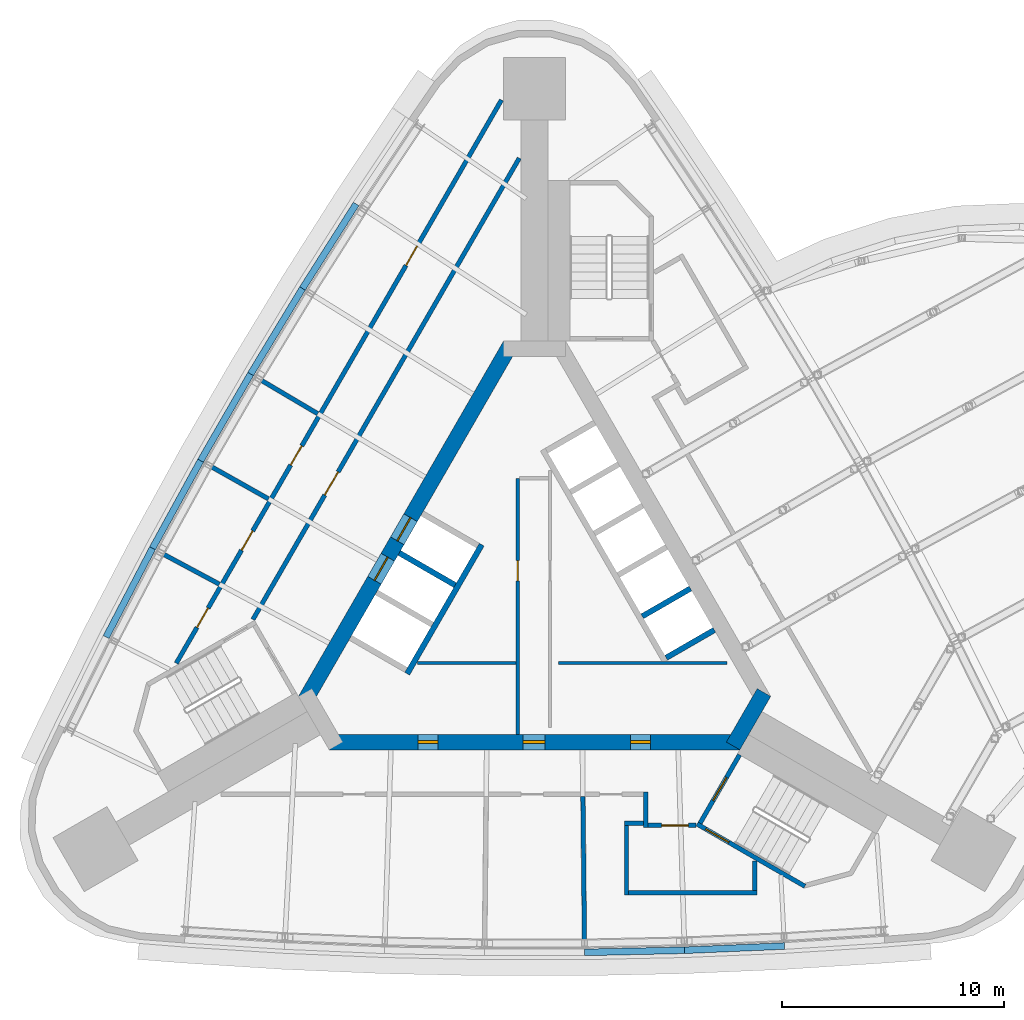
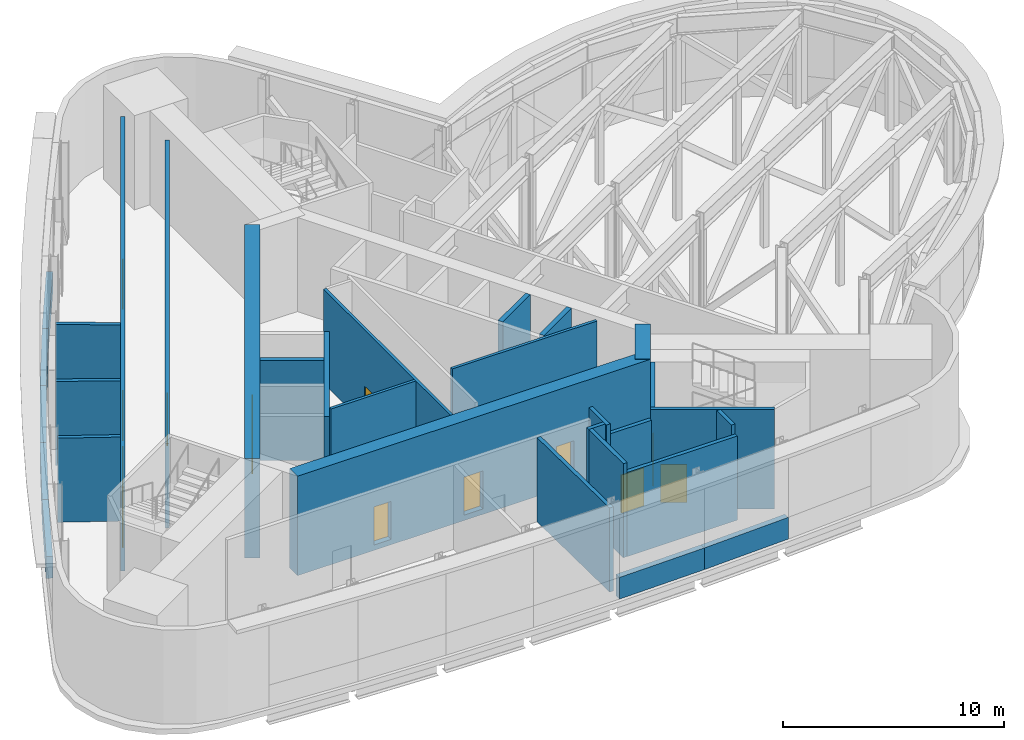
# One storey, part 7 of 11: 31 walls, 14 doors, 14 openings.
"""IFC4 building model written with IfcOpenShell, lengths in metres."""

from ifc_helpers import new_model, si_unit, direction, frame, frame_2d, origin, place, context, subcontext, project, spatial, polyline, rectangle, outline, extrude, material, layer, layer_set, type_object, element, fill, save


model = new_model("IFC4")

# Units and contexts
model_context = context("Model", 3, precision=1e-05, world=origin(), true_north=direction((0.0, 1.0)))
body_context = subcontext(model_context, "Body", "Model", "MODEL_VIEW")
ifc_project = project(units=[si_unit("LENGTHUNIT", "METRE"), si_unit("AREAUNIT", "SQUARE_METRE"), si_unit("VOLUMEUNIT", "CUBIC_METRE"), si_unit("PLANEANGLEUNIT", "RADIAN"), si_unit("MASSUNIT", "GRAM", prefix="KILO")], contexts=[model_context])

# Site, building, storey
site_placement = place(None, origin())
site = spatial("IfcSite", under=ifc_project, at=site_placement, CompositionType="ELEMENT")
building_placement = place(site_placement, origin())
building = spatial("IfcBuilding", under=site, at=building_placement, Name="Noor Cloister Tower", CompositionType="ELEMENT")
storey_placement = place(building_placement, frame((0.0, 0.0, 168.89990234375)))
storey = spatial("IfcBuildingStorey", under=building, at=storey_placement, Name="L43", CompositionType="ELEMENT", Elevation=168.89990234375)

# Wall
ifc_material_1 = material(Name="Concrete C30/37", Category="concrete")
ifc_layer_1 = layer(ifc_material_1, 0.14990234375)
ifc_layer_set_1 = layer_set([ifc_layer_1], Name="Core partition 150 C30/37")
wall_type_1 = type_object("IfcWallType", Name="Core partition 150 C30/37", PredefinedType="PARTITIONING", material=ifc_layer_set_1)
wall_1_placement = place(storey_placement, frame((-5.2578125, -3.0283203125, 0.0), z_axis=(0.0, 0.0, 1.0), x_axis=(1.0, 0.0, 0.0)))
element("IfcWall", 1, at=wall_1_placement, inside=storey, type_object=wall_type_1, Name="Core room partition L43 1", PredefinedType="PARTITIONING", context=body_context, shape_type="SweptSolid", body=[
    extrude(rectangle(XDim=4.42919921875, YDim=0.14990234375, at=frame_2d((2.214599609375, 0.0))), origin(), (0.0, 0.0, 1.0), 5.2001953125),
])

# Wall, opening, door
wall_2_placement = place(storey_placement, frame((-0.753662109375, 5.271728515625, 0.0), z_axis=(0.0, 0.0, 1.0), x_axis=(0.0, -1.0, 0.0)))
wall_2 = element("IfcWall", 2, at=wall_2_placement, inside=storey, type_object=wall_type_1, Name="Core room partition L43 2", PredefinedType="PARTITIONING", context=body_context, shape_type="SweptSolid", body=[
    extrude(rectangle(XDim=11.5, YDim=0.14990234375, at=frame_2d((5.75, 0.0))), origin(), (0.0, 0.0, 1.0), 5.2001953125),
])
opening_1_placement = place(wall_2_placement, frame((3.700927734375, 0.0, 0.0)))
opening_1 = element("IfcOpeningElement", 3, at=opening_1_placement, cuts=wall_2, Name="Opening L43-904", PredefinedType="OPENING", context=body_context, shape_type="SweptSolid", body=[
    extrude(rectangle(XDim=0.89990234375, YDim=2.10009765625, at=frame_2d((0.449951171875, 1.050048828125))), frame((0.0, 0.0849609375, 0.0), z_axis=(0.0, -1.0, 0.0), x_axis=(1.0, 0.0, 0.0)), (0.0, 0.0, 1.0), 0.169921875),
])
ifc_material_2 = material(Name="Steel", Category="steel")
door_type_1 = type_object("IfcDoorType", Name="Core door 900 x 2100 FD60", OperationType="SINGLE_SWING_LEFT", PredefinedType="DOOR", material=ifc_material_2)
door_1_placement = place(opening_1_placement, origin())
door_1 = element("IfcDoor", 4, at=door_1_placement, inside=storey, type_object=door_type_1, Name="Core door 4 L43", OperationType="SINGLE_SWING_RIGHT", OverallHeight=2.10009765625, OverallWidth=0.89990234375, PredefinedType="DOOR", context=body_context, shape_type="SweptSolid", body=[
    extrude(rectangle(XDim=0.89990234375, YDim=2.10009765625, at=frame_2d((0.449951171875, 1.050048828125))), frame((0.0, 0.02490234375, 0.0), z_axis=(0.0, -1.0, 0.0), x_axis=(1.0, 0.0, 0.0)), (0.0, 0.0, 1.0), 0.050048828125),
])
fill(opening_1, door_1)

# Wall
wall_3_placement = place(storey_placement, frame((1.0712890625, -3.0283203125, 0.0), z_axis=(0.0, 0.0, 1.0), x_axis=(1.0, 0.0, 0.0)))
element("IfcWall", 5, at=wall_3_placement, inside=storey, type_object=wall_type_1, Name="Core room partition L43 5", PredefinedType="PARTITIONING", context=body_context, shape_type="SweptSolid", body=[
    extrude(rectangle(XDim=7.568603515625, YDim=0.14990234375, at=frame_2d((3.7841796875, 0.0))), origin(), (0.0, 0.0, 1.0), 5.2001953125),
])

# Wall, openings, doors
ifc_material_3 = material(Name="Concrete C70/85", Category="concrete")
ifc_layer_2 = layer(ifc_material_3, 0.699951171875)
ifc_layer_set_2 = layer_set([ifc_layer_2], Name="Core wall 700 C70/85")
wall_type_2 = type_object("IfcWallType", Name="Core wall 700 C70/85", PredefinedType="SHEAR", material=ifc_layer_set_2)
wall_4_placement = place(storey_placement, frame((-9.228759765625, -6.578125, -0.2998046875), z_axis=(0.0, 0.0, 1.0), x_axis=(1.0, 0.0, 0.0)))
wall_4 = element("IfcWall", 6, at=wall_4_placement, inside=storey, type_object=wall_type_2, Name="Core wall L43 1", PredefinedType="SHEAR", context=body_context, shape_type="SweptSolid", body=[
    extrude(rectangle(XDim=18.45751953125, YDim=0.699951171875, at=frame_2d((9.228759765625, 0.0))), origin(), (0.0, 0.0, 1.0), 5.5),
])
opening_2_placement = place(wall_4_placement, frame((8.699951171875, 0.0, 0.300048828125)))
opening_2 = element("IfcOpeningElement", 7, at=opening_2_placement, cuts=wall_4, Name="Opening L43-901", PredefinedType="OPENING", context=body_context, shape_type="SweptSolid", body=[
    extrude(rectangle(XDim=1.0, YDim=2.10009765625, at=frame_2d((0.5, 1.050048828125))), frame((0.0, 0.35986328125, 0.0), z_axis=(0.0, -1.0, 0.0), x_axis=(1.0, 0.0, 0.0)), (0.0, 0.0, 1.0), 0.719970703125),
])
opening_3_placement = place(wall_4_placement, frame((3.989501953125, 0.0, 0.300048828125)))
opening_3 = element("IfcOpeningElement", 8, at=opening_3_placement, cuts=wall_4, Name="Opening L43-902", PredefinedType="OPENING", context=body_context, shape_type="SweptSolid", body=[
    extrude(rectangle(XDim=0.89990234375, YDim=2.10009765625, at=frame_2d((0.449951171875, 1.050048828125))), frame((0.0, 0.35986328125, 0.0), z_axis=(0.0, -1.0, 0.0), x_axis=(1.0, 0.0, 0.0)), (0.0, 0.0, 1.0), 0.719970703125),
])
opening_4_placement = place(wall_4_placement, frame((13.5390625, 0.0, 0.300048828125)))
opening_4 = element("IfcOpeningElement", 9, at=opening_4_placement, cuts=wall_4, Name="Opening L43-903", PredefinedType="OPENING", context=body_context, shape_type="SweptSolid", body=[
    extrude(rectangle(XDim=0.89990234375, YDim=2.10009765625, at=frame_2d((0.449951171875, 1.050048828125))), frame((0.0, 0.35986328125, 0.0), z_axis=(0.0, -1.0, 0.0), x_axis=(1.0, 0.0, 0.0)), (0.0, 0.0, 1.0), 0.719970703125),
])
ifc_material_4 = material(Name="Steel", Category="steel")
door_type_2 = type_object("IfcDoorType", Name="Core door 1000 x 2100 FD120", OperationType="SINGLE_SWING_LEFT", PredefinedType="DOOR", material=ifc_material_4)
door_2_placement = place(opening_2_placement, origin())
door_2 = element("IfcDoor", 10, at=door_2_placement, inside=storey, type_object=door_type_2, Name="Core door 1 L43", OperationType="SINGLE_SWING_LEFT", OverallHeight=2.10009765625, OverallWidth=1.0, PredefinedType="DOOR", context=body_context, shape_type="SweptSolid", body=[
    extrude(rectangle(XDim=1.0, YDim=2.10009765625, at=frame_2d((0.5, 1.050048828125))), frame((0.0, 0.074951171875, 0.0), z_axis=(0.0, -1.0, 0.0), x_axis=(1.0, 0.0, 0.0)), (0.0, 0.0, 1.0), 0.14990234375),
])
fill(opening_2, door_2)
ifc_material_5 = material(Name="Steel", Category="steel")
door_type_3 = type_object("IfcDoorType", Name="Core door 900 x 2100 FD120", OperationType="SINGLE_SWING_LEFT", PredefinedType="DOOR", material=ifc_material_5)
door_3_placement = place(opening_3_placement, origin())
door_3 = element("IfcDoor", 11, at=door_3_placement, inside=storey, type_object=door_type_3, Name="Core door 2 L43", OperationType="SINGLE_SWING_RIGHT", OverallHeight=2.10009765625, OverallWidth=0.89990234375, PredefinedType="DOOR", context=body_context, shape_type="SweptSolid", body=[
    extrude(rectangle(XDim=0.89990234375, YDim=2.10009765625, at=frame_2d((0.449951171875, 1.050048828125))), frame((0.0, 0.074951171875, 0.0), z_axis=(0.0, -1.0, 0.0), x_axis=(1.0, 0.0, 0.0)), (0.0, 0.0, 1.0), 0.14990234375),
])
fill(opening_3, door_3)
door_4_placement = place(opening_4_placement, origin())
door_4 = element("IfcDoor", 12, at=door_4_placement, inside=storey, type_object=door_type_1, Name="Core door 3 L43", OperationType="SINGLE_SWING_LEFT", OverallHeight=2.10009765625, OverallWidth=0.89990234375, PredefinedType="DOOR", context=body_context, shape_type="SweptSolid", body=[
    extrude(rectangle(XDim=0.89990234375, YDim=2.10009765625, at=frame_2d((0.449951171875, 1.050048828125))), frame((0.0, 0.074951171875, 0.0), z_axis=(0.0, -1.0, 0.0), x_axis=(1.0, 0.0, 0.0)), (0.0, 0.0, 1.0), 0.14990234375),
])
fill(opening_4, door_4)

# Wall
wall_5_placement = place(storey_placement, frame((8.925537109375, -6.753173828125, -0.2998046875), z_axis=(0.0, 0.0, 1.0), x_axis=(0.500042739161, 0.866000726912, 0.0)))
element("IfcWall", 13, at=wall_5_placement, inside=storey, type_object=wall_type_2, Name="Core wall L43 2", PredefinedType="SHEAR", context=body_context, shape_type="SweptSolid", body=[
    extrude(rectangle(XDim=2.771240234375, YDim=0.699951171875, at=frame_2d((1.3857421875, 0.0))), origin(), (0.0, 0.0, 1.0), 5.5),
])

# Wall, openings, doors
wall_6_placement = place(storey_placement, frame((-1.08251953125, 11.281494140625, -0.2998046875), z_axis=(0.0, 0.0, 1.0), x_axis=(-0.500001446645, -0.866024568562, 0.0)))
wall_6 = element("IfcWall", 14, at=wall_6_placement, inside=storey, type_object=wall_type_2, Name="Core wall L43 5", PredefinedType="SHEAR", context=body_context, shape_type="SweptSolid", body=[
    extrude(rectangle(XDim=18.45751953125, YDim=0.699951171875, at=frame_2d((9.228759765625, 0.0))), origin(), (0.0, 0.0, 1.0), 5.5),
])
opening_5_placement = place(wall_6_placement, frame((8.978759765625, 0.0, 0.300048828125)))
opening_5 = element("IfcOpeningElement", 15, at=opening_5_placement, cuts=wall_6, Name="Opening L43-FF1", PredefinedType="OPENING", context=body_context, shape_type="SweptSolid", body=[
    extrude(rectangle(XDim=1.199951171875, YDim=2.10009765625, at=frame_2d((0.60009765625, 1.050048828125))), frame((0.0, 0.35986328125, 0.0), z_axis=(0.0, -1.0, 0.0), x_axis=(1.0, 0.0, 0.0)), (0.0, 0.0, 1.0), 0.719970703125),
])
opening_6_placement = place(wall_6_placement, frame((11.02880859375, 0.0, 0.300048828125)))
opening_6 = element("IfcOpeningElement", 16, at=opening_6_placement, cuts=wall_6, Name="Opening L43-FF2", PredefinedType="OPENING", context=body_context, shape_type="SweptSolid", body=[
    extrude(rectangle(XDim=1.199951171875, YDim=2.10009765625, at=frame_2d((0.60009765625, 1.050048828125))), frame((0.0, 0.35986328125, 0.0), z_axis=(0.0, -1.0, 0.0), x_axis=(1.0, 0.0, 0.0)), (0.0, 0.0, 1.0), 0.719970703125),
])
ifc_material_6 = material(Name="Stainless steel", Category="steel")
door_type_4 = type_object("IfcDoorType", Name="Lift landing door 1200 x 2100", OperationType="DOUBLE_DOOR_SLIDING", PredefinedType="DOOR", material=ifc_material_6)
door_5_placement = place(opening_5_placement, origin())
door_5 = element("IfcDoor", 17, at=door_5_placement, inside=storey, type_object=door_type_4, Name="Landing door FF1 L43", OperationType="DOUBLE_DOOR_SLIDING", OverallHeight=2.10009765625, OverallWidth=1.199951171875, PredefinedType="DOOR", context=body_context, shape_type="SweptSolid", body=[
    extrude(rectangle(XDim=1.199951171875, YDim=2.10009765625, at=frame_2d((0.60009765625, 1.050048828125))), frame((0.0, 0.02490234375, 0.0), z_axis=(0.0, -1.0, 0.0), x_axis=(1.0, 0.0, 0.0)), (0.0, 0.0, 1.0), 0.050048828125),
])
fill(opening_5, door_5)
door_6_placement = place(opening_6_placement, origin())
door_6 = element("IfcDoor", 18, at=door_6_placement, inside=storey, type_object=door_type_4, Name="Landing door FF2 L43", OperationType="DOUBLE_DOOR_SLIDING", OverallHeight=2.10009765625, OverallWidth=1.199951171875, PredefinedType="DOOR", context=body_context, shape_type="SweptSolid", body=[
    extrude(rectangle(XDim=1.199951171875, YDim=2.10009765625, at=frame_2d((0.60009765625, 1.050048828125))), frame((0.0, 0.02490234375, 0.0), z_axis=(0.0, -1.0, 0.0), x_axis=(1.0, 0.0, 0.0)), (0.0, 0.0, 1.0), 0.050048828125),
])
fill(opening_6, door_6)

# Walls
ifc_material_7 = material(Name="Limestone", Category="masonry")
ifc_layer_3 = layer(ifc_material_7, 0.300048828125)
ifc_layer_set_3 = layer_set([ifc_layer_3], Name="Limestone panel wall 300")
wall_type_3 = type_object("IfcWallType", Name="Limestone panel wall 300", PredefinedType="NOTDEFINED", material=ifc_layer_set_3)
wall_7_placement = place(storey_placement, origin())
element("IfcWall", 19, at=wall_7_placement, inside=storey, type_object=wall_type_3, Name="Limestone panel wall L43 1.2", PredefinedType="NOTDEFINED", context=body_context, shape_type="SweptSolid", body=[
    extrude(outline(polyline([(-8.145263671875, 17.68701171875), (-10.55810546875, 13.888671875), (-10.304931640625, 13.727783203125), (-7.891845703125, 17.526123046875), (-8.145263671875, 17.68701171875)])), origin(), (0.0, 0.0, 1.0), 1.2001953125),
])
wall_8_placement = place(storey_placement, origin())
element("IfcWall", 20, at=wall_8_placement, inside=storey, type_object=wall_type_3, Name="Limestone panel wall L43 1.3", PredefinedType="NOTDEFINED", context=body_context, shape_type="SweptSolid", body=[
    extrude(outline(polyline([(-10.55810546875, 13.888671875), (-12.89013671875, 10.0400390625), (-12.633544921875, 9.884765625), (-10.301513671875, 13.733154296875), (-10.55810546875, 13.888671875)])), origin(), (0.0, 0.0, 1.0), 1.2001953125),
])
wall_9_placement = place(storey_placement, origin())
element("IfcWall", 21, at=wall_9_placement, inside=storey, type_object=wall_type_3, Name="Limestone panel wall L43 1.4", PredefinedType="NOTDEFINED", context=body_context, shape_type="SweptSolid", body=[
    extrude(outline(polyline([(-12.89013671875, 10.0400390625), (-15.14013671875, 6.14306640625), (-14.88037109375, 5.9931640625), (-12.63037109375, 9.89013671875), (-12.89013671875, 10.0400390625)])), origin(), (0.0, 0.0, 1.0), 1.2001953125),
])
wall_10_placement = place(storey_placement, origin())
element("IfcWall", 22, at=wall_10_placement, inside=storey, type_object=wall_type_3, Name="Limestone panel wall L43 1.5", PredefinedType="NOTDEFINED", context=body_context, shape_type="SweptSolid", body=[
    extrude(outline(polyline([(-15.14013671875, 6.14306640625), (-17.30712890625, 2.19921875), (-17.044189453125, 2.054931640625), (-14.877197265625, 5.99853515625), (-15.14013671875, 6.14306640625)])), origin(), (0.0, 0.0, 1.0), 1.2001953125),
])
wall_11_placement = place(storey_placement, origin())
element("IfcWall", 23, at=wall_11_placement, inside=storey, type_object=wall_type_3, Name="Limestone panel wall L43 1.6", PredefinedType="NOTDEFINED", context=body_context, shape_type="SweptSolid", body=[
    extrude(outline(polyline([(-17.30712890625, 2.19921875), (-19.389892578125, -1.78955078125), (-19.1240234375, -1.928466796875), (-17.041015625, 2.060546875), (-17.30712890625, 2.19921875)])), origin(), (0.0, 0.0, 1.0), 1.2001953125),
])
wall_12_placement = place(storey_placement, origin())
element("IfcWall", 24, at=wall_12_placement, inside=storey, type_object=wall_type_3, Name="Limestone panel wall L43 2.5", PredefinedType="NOTDEFINED", context=body_context, shape_type="SweptSolid", body=[
    extrude(outline(polyline([(2.25, -16.183349609375), (6.748779296875, -16.087890625), (6.742431640625, -15.7880859375), (2.24365234375, -15.88330078125), (2.25, -16.183349609375)])), origin(), (0.0, 0.0, 1.0), 1.2001953125),
])
wall_13_placement = place(storey_placement, origin())
element("IfcWall", 25, at=wall_13_placement, inside=storey, type_object=wall_type_3, Name="Limestone panel wall L43 2.6", PredefinedType="NOTDEFINED", context=body_context, shape_type="SweptSolid", body=[
    extrude(outline(polyline([(6.748779296875, -16.087890625), (11.24462890625, -15.8974609375), (11.23193359375, -15.59765625), (6.736083984375, -15.788330078125), (6.748779296875, -16.087890625)])), origin(), (0.0, 0.0, 1.0), 1.2001953125),
])
ifc_material_8 = material(Name="Concrete C70/85", Category="concrete")
ifc_layer_4 = layer(ifc_material_8, 0.25)
ifc_layer_set_4 = layer_set([ifc_layer_4], Name="Shaft wall 250 C70/85")
wall_type_4 = type_object("IfcWallType", Name="Shaft wall 250 C70/85", PredefinedType="PARTITIONING", material=ifc_layer_set_4)
for number, where, z_axis, x_axis, name in (
    (26, (8.081298828125, -1.540771484375, -0.2998046875), (0.0, 0.0, 1.0), (-0.866022959057, -0.500004234368, 0.0), "Lift shaft wall L43 NE 1"),
    (27, (7.00634765625, 0.3212890625, -0.2998046875), (0.0, 0.0, 1.0), (-0.866022959057, -0.500004234368, 0.0), "Lift shaft wall L43 NE 2"),
):
    element("IfcWall", number, at=place(storey_placement, frame(where, z_axis=z_axis, x_axis=x_axis)), inside=storey, type_object=wall_type_4, Name=name, PredefinedType="PARTITIONING", context=body_context, shape_type="SweptSolid", body=[
        extrude(rectangle(XDim=2.5, YDim=0.25, at=frame_2d((1.25, 0.0))), origin(), (0.0, 0.0, 1.0), 5.5),
    ])
wall_14_placement = place(storey_placement, frame((-6.081298828125, 1.92333984375, -0.2998046875), z_axis=(0.0, 0.0, 1.0), x_axis=(0.866032775405, -0.499987231761, 0.0)))
element("IfcWall", 28, at=wall_14_placement, inside=storey, type_object=wall_type_4, Name="Lift shaft wall L43 NW 4", PredefinedType="PARTITIONING", context=body_context, shape_type="SweptSolid", body=[
    extrude(rectangle(XDim=2.89990234375, YDim=0.25, at=frame_2d((1.449951171875, 0.0))), origin(), (0.0, 0.0, 1.0), 5.5),
])
wall_15_placement = place(storey_placement, frame((-2.3740234375, 2.29443359375, 0.0), z_axis=(0.0, 0.0, 1.0), x_axis=(-0.500003174267, -0.866023571113, 0.0)))
element("IfcWall", 29, at=wall_15_placement, inside=storey, type_object=wall_type_4, Name="Lift shaft back wall L43 NW", PredefinedType="PARTITIONING", context=body_context, shape_type="SweptSolid", body=[
    extrude(rectangle(XDim=6.7001953125, YDim=0.25, at=frame_2d((3.35009765625, 0.0))), origin(), (0.0, 0.0, 1.0), 5.2001953125),
])

# Wall, opening, door
ifc_material_9 = material(Name="Concrete C70/85", Category="concrete")
ifc_layer_5 = layer(ifc_material_9, 0.199951171875)
ifc_layer_set_5 = layer_set([ifc_layer_5], Name="Stair enclosure wall 200 C70/85")
wall_type_5 = type_object("IfcWallType", Name="Stair enclosure wall 200 C70/85", PredefinedType="SHEAR", material=ifc_layer_set_5)
wall_16_placement = place(storey_placement, frame((7.440185546875, -10.225830078125, -0.2998046875), z_axis=(0.0, 0.0, 1.0), x_axis=(0.500022077904, 0.866012656725, 0.0)))
wall_16 = element("IfcWall", 30, at=wall_16_placement, inside=storey, type_object=wall_type_5, Name="Stair enclosure wall ST3 L43 near end", PredefinedType="SHEAR", context=body_context, shape_type="SweptSolid", body=[
    extrude(rectangle(XDim=3.550048828125, YDim=0.199951171875, at=frame_2d((1.77490234375, 0.0))), origin(), (0.0, 0.0, 1.0), 5.5),
])
opening_7_placement = place(wall_16_placement, frame((1.175048828125, 0.0, 0.300048828125)))
opening_7 = element("IfcOpeningElement", 31, at=opening_7_placement, cuts=wall_16, Name="Opening L43-ST3L", PredefinedType="OPENING", context=body_context, shape_type="SweptSolid", body=[
    extrude(rectangle(XDim=1.199951171875, YDim=2.10009765625, at=frame_2d((0.60009765625, 1.050048828125))), frame((0.0, 0.10986328125, 0.0), z_axis=(0.0, -1.0, 0.0), x_axis=(1.0, 0.0, 0.0)), (0.0, 0.0, 1.0), 0.219970703125),
])
ifc_material_10 = material(Name="Steel", Category="steel")
door_type_5 = type_object("IfcDoorType", Name="Stair door 1200 x 2100 FD120", OperationType="SINGLE_SWING_LEFT", PredefinedType="DOOR", material=ifc_material_10)
door_7_placement = place(opening_7_placement, origin())
door_7 = element("IfcDoor", 32, at=door_7_placement, inside=storey, type_object=door_type_5, Name="Stair door ST3 L43", OperationType="SINGLE_SWING_RIGHT", OverallHeight=2.10009765625, OverallWidth=1.199951171875, PredefinedType="DOOR", context=body_context, shape_type="SweptSolid", body=[
    extrude(rectangle(XDim=1.199951171875, YDim=2.10009765625, at=frame_2d((0.60009765625, 1.050048828125))), frame((0.0, 0.02490234375, 0.0), z_axis=(0.0, -1.0, 0.0), x_axis=(1.0, 0.0, 0.0)), (0.0, 0.0, 1.0), 0.050048828125),
])
fill(opening_7, door_7)

wall_17_placement = place(storey_placement, frame((7.3037109375, -10.262451171875, -0.2998046875), z_axis=(0.0, 0.0, 1.0), x_axis=(0.866026594901, -0.49999793692, 0.0)))
wall_17 = element("IfcWall", 33, at=wall_17_placement, inside=storey, type_object=wall_type_5, Name="Stair enclosure wall ST3 L43 outer side", PredefinedType="SHEAR", context=body_context, shape_type="SweptSolid", body=[
    extrude(rectangle(XDim=5.60009765625, YDim=0.199951171875, at=frame_2d((2.800048828125, 0.0))), origin(), (0.0, 0.0, 1.0), 5.5),
])
opening_8_placement = place(wall_17_placement, frame((0.449951171875, 0.0, 0.300048828125)))
opening_8 = element("IfcOpeningElement", 34, at=opening_8_placement, cuts=wall_17, Name="Opening L43-ST3C", PredefinedType="OPENING", context=body_context, shape_type="SweptSolid", body=[
    extrude(rectangle(XDim=1.199951171875, YDim=2.10009765625, at=frame_2d((0.60009765625, 1.050048828125))), frame((0.0, 0.10986328125, 0.0), z_axis=(0.0, -1.0, 0.0), x_axis=(1.0, 0.0, 0.0)), (0.0, 0.0, 1.0), 0.219970703125),
])
door_8_placement = place(opening_8_placement, origin())
door_8 = element("IfcDoor", 35, at=door_8_placement, inside=storey, type_object=door_type_5, Name="Stair door ST3 L43", OperationType="SINGLE_SWING_LEFT", OverallHeight=2.10009765625, OverallWidth=1.199951171875, PredefinedType="DOOR", context=body_context, shape_type="SweptSolid", body=[
    extrude(rectangle(XDim=1.199951171875, YDim=2.10009765625, at=frame_2d((0.60009765625, 1.050048828125))), frame((0.0, 0.02490234375, 0.0), z_axis=(0.0, -1.0, 0.0), x_axis=(1.0, 0.0, 0.0)), (0.0, 0.0, 1.0), 0.050048828125),
])
fill(opening_8, door_8)

ifc_material_11 = material(Name="Concrete block wall, 200 mm", Category="concrete")
ifc_layer_6 = layer(ifc_material_11, 0.199951171875)
ifc_layer_set_6 = layer_set([ifc_layer_6], Name="Upper floor plant room wall 200")
wall_type_6 = type_object("IfcWallType", Name="Upper floor plant room wall 200", PredefinedType="PARTITIONING", material=ifc_layer_set_6)
wall_18_placement = place(storey_placement, frame((-0.6865234375, 19.667236328125, 0.0), z_axis=(0.0, 0.0, 1.0), x_axis=(-0.500000491645, -0.866025119933, 0.0)))
wall_18 = element("IfcWall", 36, at=wall_18_placement, inside=storey, type_object=wall_type_6, Name="Upper floor plant room wall 200 L43 001", PredefinedType="PARTITIONING", context=body_context, shape_type="SweptSolid", body=[
    extrude(rectangle(XDim=23.94287109375, YDim=0.199951171875, at=frame_2d((11.971435546875, 0.0))), origin(), (0.0, 0.0, 1.0), 4.647216796875),
])
opening_9_placement = place(wall_18_placement, frame((16.286865234375, 0.0, 0.0)))
opening_9 = element("IfcOpeningElement", 37, at=opening_9_placement, cuts=wall_18, Name="Opening L43-005", PredefinedType="OPENING", context=body_context, shape_type="SweptSolid", body=[
    extrude(rectangle(XDim=1.199951171875, YDim=2.10009765625, at=frame_2d((0.60009765625, 1.050048828125))), frame((0.0, 0.10986328125, 0.0), z_axis=(0.0, -1.0, 0.0), x_axis=(1.0, 0.0, 0.0)), (0.0, 0.0, 1.0), 0.219970703125),
])
ifc_material_12 = material(Name="Timber door leaf with steel frame", Category="steel")
door_type_6 = type_object("IfcDoorType", Name="Firefighting lobby door 1200", OperationType="NOTDEFINED", PredefinedType="DOOR", material=ifc_material_12)
door_9_placement = place(opening_9_placement, origin())
door_9 = element("IfcDoor", 38, at=door_9_placement, inside=storey, type_object=door_type_6, Name="Firefighting lobby door 1200 L43-005", OperationType="SINGLE_SWING_RIGHT", OverallHeight=2.10009765625, OverallWidth=1.199951171875, PredefinedType="DOOR", context=body_context, shape_type="SweptSolid", body=[
    extrude(rectangle(XDim=1.199951171875, YDim=2.10009765625, at=frame_2d((0.60009765625, 1.050048828125))), frame((0.0, 0.02490234375, 0.0), z_axis=(0.0, -1.0, 0.0), x_axis=(1.0, 0.0, 0.0)), (0.0, 0.0, 1.0), 0.050048828125),
])
fill(opening_9, door_9)

# Wall, openings, doors
wall_19_placement = place(storey_placement, frame((-16.10400390625, -3.03662109375, 0.0), z_axis=(0.0, 0.0, 1.0), x_axis=(0.500000282061, 0.866025240936, 0.0)))
wall_19 = element("IfcWall", 39, at=wall_19_placement, inside=storey, type_object=wall_type_6, Name="Upper floor plant room wall 200 L43 002", PredefinedType="PARTITIONING", context=body_context, shape_type="SweptSolid", body=[
    extrude(rectangle(XDim=29.23486328125, YDim=0.199951171875, at=frame_2d((14.617431640625, 0.0))), origin(), (0.0, 0.0, 1.0), 4.647216796875),
])
opening_10_placement = place(wall_19_placement, frame((20.64990234375, 0.0, 0.0)))
opening_10 = element("IfcOpeningElement", 40, at=opening_10_placement, cuts=wall_19, Name="Opening L43-001", PredefinedType="OPENING", context=body_context, shape_type="SweptSolid", body=[
    extrude(rectangle(XDim=1.0, YDim=2.10009765625, at=frame_2d((0.5, 1.050048828125))), frame((0.0, 0.10986328125, 0.0), z_axis=(0.0, -1.0, 0.0), x_axis=(1.0, 0.0, 0.0)), (0.0, 0.0, 1.0), 0.219970703125),
])
opening_11_placement = place(wall_19_placement, frame((10.28662109375, 0.0, 0.0)))
opening_11 = element("IfcOpeningElement", 41, at=opening_11_placement, cuts=wall_19, Name="Opening L43-002", PredefinedType="OPENING", context=body_context, shape_type="SweptSolid", body=[
    extrude(rectangle(XDim=1.0, YDim=2.10009765625, at=frame_2d((0.5, 1.050048828125))), frame((0.0, 0.10986328125, 0.0), z_axis=(0.0, -1.0, 0.0), x_axis=(1.0, 0.0, 0.0)), (0.0, 0.0, 1.0), 0.219970703125),
])
opening_12_placement = place(wall_19_placement, frame((5.865234375, 0.0, 0.0)))
opening_12 = element("IfcOpeningElement", 42, at=opening_12_placement, cuts=wall_19, Name="Opening L43-003", PredefinedType="OPENING", context=body_context, shape_type="SweptSolid", body=[
    extrude(rectangle(XDim=1.0, YDim=2.10009765625, at=frame_2d((0.5, 1.050048828125))), frame((0.0, 0.10986328125, 0.0), z_axis=(0.0, -1.0, 0.0), x_axis=(1.0, 0.0, 0.0)), (0.0, 0.0, 1.0), 0.219970703125),
])
opening_13_placement = place(wall_19_placement, frame((1.858642578125, 0.0, 0.0)))
opening_13 = element("IfcOpeningElement", 43, at=opening_13_placement, cuts=wall_19, Name="Opening L43-004", PredefinedType="OPENING", context=body_context, shape_type="SweptSolid", body=[
    extrude(rectangle(XDim=1.0, YDim=2.10009765625, at=frame_2d((0.5, 1.050048828125))), frame((0.0, 0.10986328125, 0.0), z_axis=(0.0, -1.0, 0.0), x_axis=(1.0, 0.0, 0.0)), (0.0, 0.0, 1.0), 0.219970703125),
])
ifc_material_13 = material(Name="Timber door leaf with steel frame", Category="steel")
door_type_7 = type_object("IfcDoorType", Name="Plant room door 1000", OperationType="NOTDEFINED", PredefinedType="DOOR", material=ifc_material_13)
door_10_placement = place(opening_10_placement, origin())
door_10 = element("IfcDoor", 44, at=door_10_placement, inside=storey, type_object=door_type_7, Name="Plant room door 1000 L43-001", OperationType="SINGLE_SWING_RIGHT", OverallHeight=2.10009765625, OverallWidth=1.0, PredefinedType="DOOR", context=body_context, shape_type="SweptSolid", body=[
    extrude(rectangle(XDim=1.0, YDim=2.10009765625, at=frame_2d((0.5, 1.050048828125))), frame((0.0, 0.02490234375, 0.0), z_axis=(0.0, -1.0, 0.0), x_axis=(1.0, 0.0, 0.0)), (0.0, 0.0, 1.0), 0.050048828125),
])
fill(opening_10, door_10)
door_11_placement = place(opening_11_placement, origin())
door_11 = element("IfcDoor", 45, at=door_11_placement, inside=storey, type_object=door_type_7, Name="Plant room door 1000 L43-002", OperationType="SINGLE_SWING_LEFT", OverallHeight=2.10009765625, OverallWidth=1.0, PredefinedType="DOOR", context=body_context, shape_type="SweptSolid", body=[
    extrude(rectangle(XDim=1.0, YDim=2.10009765625, at=frame_2d((0.5, 1.050048828125))), frame((0.0, 0.02490234375, 0.0), z_axis=(0.0, -1.0, 0.0), x_axis=(1.0, 0.0, 0.0)), (0.0, 0.0, 1.0), 0.050048828125),
])
fill(opening_11, door_11)
door_12_placement = place(opening_12_placement, origin())
door_12 = element("IfcDoor", 46, at=door_12_placement, inside=storey, type_object=door_type_7, Name="Plant room door 1000 L43-003", OperationType="SINGLE_SWING_LEFT", OverallHeight=2.10009765625, OverallWidth=1.0, PredefinedType="DOOR", context=body_context, shape_type="SweptSolid", body=[
    extrude(rectangle(XDim=1.0, YDim=2.10009765625, at=frame_2d((0.5, 1.050048828125))), frame((0.0, 0.02490234375, 0.0), z_axis=(0.0, -1.0, 0.0), x_axis=(1.0, 0.0, 0.0)), (0.0, 0.0, 1.0), 0.050048828125),
])
fill(opening_12, door_12)
door_13_placement = place(opening_13_placement, origin())
door_13 = element("IfcDoor", 47, at=door_13_placement, inside=storey, type_object=door_type_7, Name="Plant room door 1000 L43-004", OperationType="SINGLE_SWING_LEFT", OverallHeight=2.10009765625, OverallWidth=1.0, PredefinedType="DOOR", context=body_context, shape_type="SweptSolid", body=[
    extrude(rectangle(XDim=1.0, YDim=2.10009765625, at=frame_2d((0.5, 1.050048828125))), frame((0.0, 0.02490234375, 0.0), z_axis=(0.0, -1.0, 0.0), x_axis=(1.0, 0.0, 0.0)), (0.0, 0.0, 1.0), 0.050048828125),
])
fill(opening_13, door_13)

# Walls
wall_20_placement = place(storey_placement, frame((-12.28759765625, 9.68359375, 0.0), z_axis=(0.0, 0.0, 1.0), x_axis=(0.860699381133, -0.509113519088, 0.0)))
element("IfcWall", 48, at=wall_20_placement, inside=storey, type_object=wall_type_6, Name="Upper floor plant room wall 200 L43 003", PredefinedType="PARTITIONING", context=body_context, shape_type="SweptSolid", body=[
    extrude(rectangle(XDim=2.953857421875, YDim=0.199951171875, at=frame_2d((1.47705078125, 0.0))), origin(), (0.0, 0.0, 1.0), 4.647216796875),
])
wall_21_placement = place(storey_placement, frame((-14.5302734375, 5.799560546875, 0.0), z_axis=(0.0, 0.0, 1.0), x_axis=(0.871273012139, -0.490798673916, 0.0)))
element("IfcWall", 49, at=wall_21_placement, inside=storey, type_object=wall_type_6, Name="Upper floor plant room wall 200 L43 004", PredefinedType="PARTITIONING", context=body_context, shape_type="SweptSolid", body=[
    extrude(rectangle(XDim=2.954345703125, YDim=0.199951171875, at=frame_2d((1.47705078125, 0.0))), origin(), (0.0, 0.0, 1.0), 4.647216796875),
])
wall_22_placement = place(storey_placement, frame((-16.68994140625, 1.86865234375, 0.0), z_axis=(0.0, 0.0, 1.0), x_axis=(0.88146473232, -0.472249855136, 0.0)))
element("IfcWall", 50, at=wall_22_placement, inside=storey, type_object=wall_type_6, Name="Upper floor plant room wall 200 L43 005", PredefinedType="PARTITIONING", context=body_context, shape_type="SweptSolid", body=[
    extrude(rectangle(XDim=2.8583984375, YDim=0.199951171875, at=frame_2d((1.42919921875, 0.0))), origin(), (0.0, 0.0, 1.0), 4.647216796875),
])
wall_23_placement = place(storey_placement, frame((4.03564453125, -10.228271484375, 0.0), z_axis=(0.0, 0.0, 1.0), x_axis=(1.0, 0.0, 0.0)))
element("IfcWall", 51, at=wall_23_placement, inside=storey, type_object=wall_type_6, Name="Upper floor plant room wall 200 L43 006", PredefinedType="PARTITIONING", context=body_context, shape_type="SweptSolid", body=[
    extrude(rectangle(XDim=0.8642578125, YDim=0.199951171875, at=frame_2d((0.43212890625, 0.0))), origin(), (0.0, 0.0, 1.0), 5.2001953125),
])
wall_24_placement = place(storey_placement, frame((5.0, -10.42822265625, 0.0), z_axis=(0.0, 0.0, 1.0), x_axis=(0.0, 1.0, 0.0)))
element("IfcWall", 52, at=wall_24_placement, inside=storey, type_object=wall_type_6, Name="Upper floor plant room wall 200 L43 007", PredefinedType="PARTITIONING", context=body_context, shape_type="SweptSolid", body=[
    extrude(rectangle(XDim=1.59814453125, YDim=0.199951171875, at=frame_2d((0.799072265625, 0.0))), origin(), (0.0, 0.0, 1.0), 5.2001953125),
])

# Wall, opening, door
wall_25_placement = place(storey_placement, frame((5.10009765625, -10.328125, 0.0), z_axis=(0.0, 0.0, 1.0), x_axis=(1.0, 0.0, 0.0)))
wall_25 = element("IfcWall", 53, at=wall_25_placement, inside=storey, type_object=wall_type_6, Name="Upper floor plant room wall 200 L43 008", PredefinedType="PARTITIONING", context=body_context, shape_type="SweptSolid", body=[
    extrude(rectangle(XDim=2.153564453125, YDim=0.199951171875, at=frame_2d((1.07666015625, 0.0))), origin(), (0.0, 0.0, 1.0), 4.647216796875),
])
opening_14_placement = place(wall_25_placement, frame((0.61474609375, 0.0, 0.0)))
opening_14 = element("IfcOpeningElement", 54, at=opening_14_placement, cuts=wall_25, Name="Opening L43-009", PredefinedType="OPENING", context=body_context, shape_type="SweptSolid", body=[
    extrude(rectangle(XDim=1.199951171875, YDim=2.10009765625, at=frame_2d((0.60009765625, 1.050048828125))), frame((0.0, 0.10986328125, 0.0), z_axis=(0.0, -1.0, 0.0), x_axis=(1.0, 0.0, 0.0)), (0.0, 0.0, 1.0), 0.219970703125),
])
ifc_material_14 = material(Name="Timber door leaf with steel frame", Category="steel")
door_type_8 = type_object("IfcDoorType", Name="Protected lobby door 1200", OperationType="NOTDEFINED", PredefinedType="DOOR", material=ifc_material_14)
door_14_placement = place(opening_14_placement, origin())
door_14 = element("IfcDoor", 55, at=door_14_placement, inside=storey, type_object=door_type_8, Name="Protected lobby door 1200 L43-009", OperationType="SINGLE_SWING_RIGHT", OverallHeight=2.10009765625, OverallWidth=1.199951171875, PredefinedType="DOOR", context=body_context, shape_type="SweptSolid", body=[
    extrude(rectangle(XDim=1.199951171875, YDim=2.10009765625, at=frame_2d((0.60009765625, 1.050048828125))), frame((0.0, 0.02490234375, 0.0), z_axis=(0.0, -1.0, 0.0), x_axis=(1.0, 0.0, 0.0)), (0.0, 0.0, 1.0), 0.050048828125),
])
fill(opening_14, door_14)

# Walls
wall_26_placement = place(storey_placement, frame((2.17431640625, -9.029296875, 0.0), z_axis=(0.0, 0.0, 1.0), x_axis=(0.01055360175, -0.999944309194, 0.0)))
element("IfcWall", 56, at=wall_26_placement, inside=storey, type_object=wall_type_6, Name="Upper floor plant room wall 200 L43 011", PredefinedType="PARTITIONING", context=body_context, shape_type="SweptSolid", body=[
    extrude(rectangle(XDim=6.4541015625, YDim=0.199951171875, at=frame_2d((3.22705078125, 0.0))), origin(), (0.0, 0.0, 1.0), 4.647216796875),
])
wall_27_placement = place(storey_placement, frame((4.133544921875, -10.328125, 0.0), z_axis=(0.0, 0.0, 1.0), x_axis=(0.0, -1.0, 0.0)))
element("IfcWall", 57, at=wall_27_placement, inside=storey, type_object=wall_type_6, Name="Upper floor plant room wall 200 L43 012", PredefinedType="PARTITIONING", context=body_context, shape_type="SweptSolid", body=[
    extrude(rectangle(XDim=3.11962890625, YDim=0.199951171875, at=frame_2d((1.559814453125, 0.0))), origin(), (0.0, 0.0, 1.0), 5.2001953125),
])
wall_28_placement = place(storey_placement, frame((4.233642578125, -13.349853515625, 0.0), z_axis=(0.0, 0.0, 1.0), x_axis=(1.0, 0.0, 0.0)))
element("IfcWall", 58, at=wall_28_placement, inside=storey, type_object=wall_type_6, Name="Upper floor plant room wall 200 L43 013", PredefinedType="PARTITIONING", context=body_context, shape_type="SweptSolid", body=[
    extrude(rectangle(XDim=5.7568359375, YDim=0.199951171875, at=frame_2d((2.87841796875, 0.0))), origin(), (0.0, 0.0, 1.0), 4.647216796875),
])
wall_29_placement = place(storey_placement, frame((9.892578125, -13.249755859375, 0.0), z_axis=(0.0, 0.0, 1.0), x_axis=(0.0, 1.0, 0.0)))
element("IfcWall", 59, at=wall_29_placement, inside=storey, type_object=wall_type_6, Name="Upper floor plant room wall 200 L43 014", PredefinedType="PARTITIONING", context=body_context, shape_type="SweptSolid", body=[
    extrude(rectangle(XDim=1.319580078125, YDim=0.199951171875, at=frame_2d((0.65966796875, 0.0))), origin(), (0.0, 0.0, 1.0), 5.2001953125),
])

save(model, "model.ifc")
